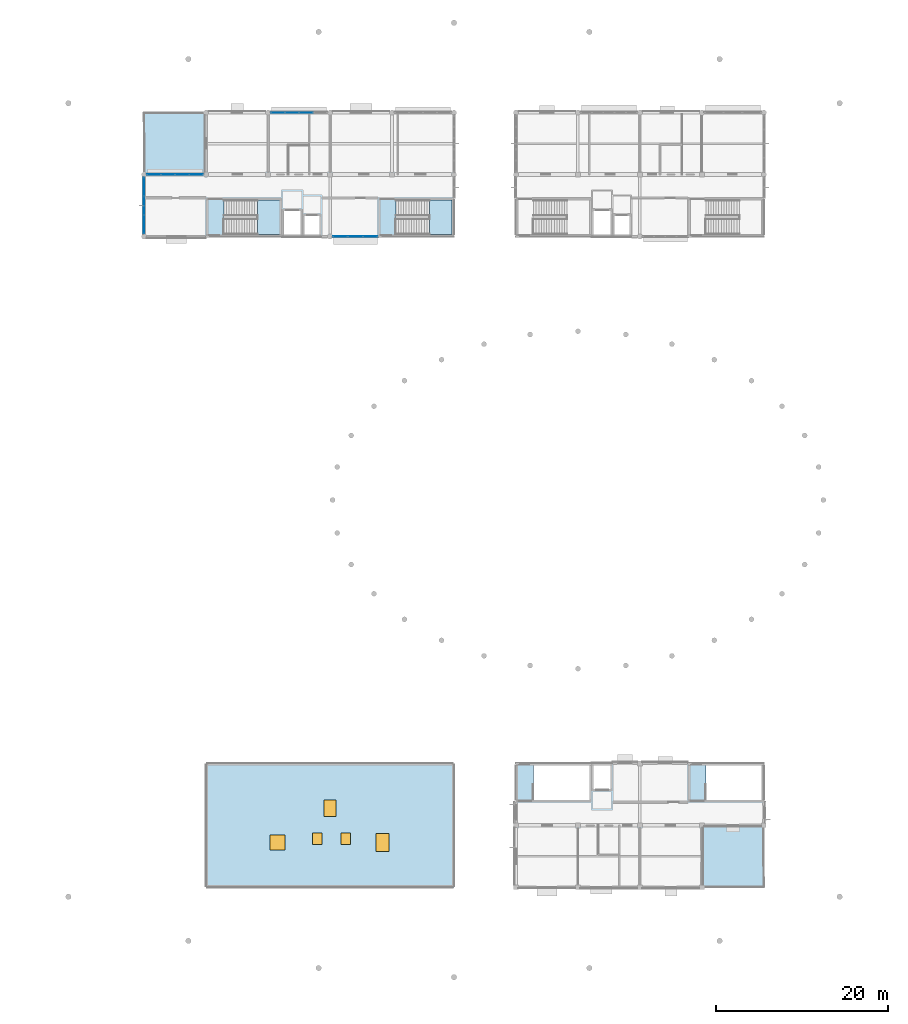
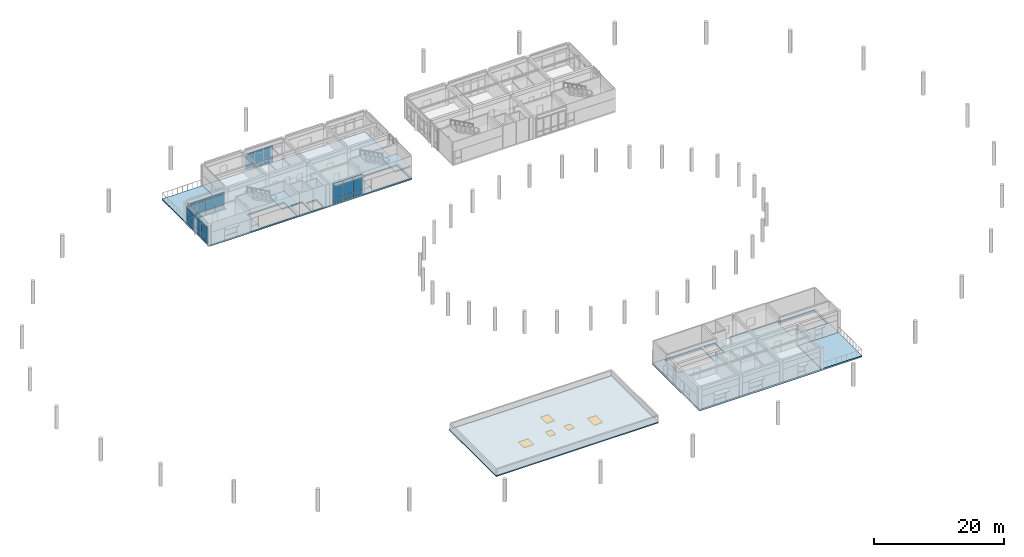
# One storey, part 9 of 29: 39 plates, 7 slabs, 3 windows, 2 doors, 5 openings, 6 elements without a shape of their own.
"""IFC4 building model written with IfcOpenShell, lengths in metres."""

from ifc_helpers import new_model, si_unit, direction, frame, origin, origin_2d, place, context, subcontext, project, spatial, polyline, rectangle, outline, extrude, material, layer, layer_set, type_object, element, fill, aggregate, save


model = new_model("IFC4")

# Units and contexts
model_context = context("Model", 3, precision=1e-05, world=origin(), true_north=direction((0.0, 1.0)))
body_context = subcontext(model_context, "Body", "Model", "MODEL_VIEW")
ifc_project = project(units=[si_unit("LENGTHUNIT", "METRE"), si_unit("AREAUNIT", "SQUARE_METRE"), si_unit("VOLUMEUNIT", "CUBIC_METRE"), si_unit("PLANEANGLEUNIT", "RADIAN"), si_unit("MASSUNIT", "GRAM", prefix="KILO")], contexts=[model_context])

# Site, building, storey
site_placement = place(None, origin())
site = spatial("IfcSite", under=ifc_project, at=site_placement, CompositionType="ELEMENT")
building_placement = place(site_placement, origin())
building = spatial("IfcBuilding", under=site, at=building_placement, Name="Namkhue Oval Health Centre", CompositionType="ELEMENT")
storey_placement = place(building_placement, frame((0.0, 0.0, 18.0)))
storey = spatial("IfcBuildingStorey", under=building, at=storey_placement, Name="L04", CompositionType="ELEMENT", Elevation=18.0)

# Curtain wall, plates
ifc_material_1 = material(Name="Anodised aluminium EN AW-6063 T6", Category="aluminium")
ifc_layer_1 = layer(ifc_material_1, 0.159912109375)
ifc_layer_set_1 = layer_set([ifc_layer_1], Name="Anodised aluminium EN AW-6063 T6")
curtain_wall_type_1 = type_object("IfcCurtainWallType", Name="UNITISED CURTAIN WALL M2000", PredefinedType="NOTDEFINED", material=ifc_layer_set_1)
curtain_wall_1_placement = place(storey_placement, origin())
curtain_wall_1 = element("IfcCurtainWall", 1, at=curtain_wall_1_placement, inside=storey, type_object=curtain_wall_type_1, Name="Volume V2 L04 Unitised Curtain Wall 78", PredefinedType="NOTDEFINED")
ifc_material_2 = material(Name="Thermally broken low-E laminated double glazing", Category="glass")
ifc_layer_2 = layer(ifc_material_2, 0.028076171875)
ifc_layer_set_2 = layer_set([ifc_layer_2], Name="Thermally broken low-E laminated double glazing")
plate_type_1 = type_object("IfcPlateType", Name="CURTAIN WALL GLAZED PANEL 28", PredefinedType="CURTAIN_PANEL", material=ifc_layer_set_2)
plate_1_placement = place(storey_placement, frame((73.20751953125, 90.0, 0.074951171875), z_axis=(0.0, 0.0, 1.0), x_axis=(1.0, 0.0, 0.0)))
plate_1 = element("IfcPlate", 2, at=plate_1_placement, type_object=plate_type_1, Name="CW-06 panel 1.1", PredefinedType="CURTAIN_PANEL", context=body_context, shape_type="SweptSolid", body=[
    extrude(rectangle(XDim=1.645263671875, YDim=0.028076171875, at=origin_2d()), origin(), (0.0, 0.0, 1.0), 0.78759765625),
])
plate_2_placement = place(storey_placement, frame((73.20751953125, 90.0, 0.9375), z_axis=(0.0, 0.0, 1.0), x_axis=(1.0, 0.0, 0.0)))
plate_2 = element("IfcPlate", 3, at=plate_2_placement, type_object=plate_type_1, Name="CW-06 panel 1.2", PredefinedType="CURTAIN_PANEL", context=body_context, shape_type="SweptSolid", body=[
    extrude(rectangle(XDim=1.645263671875, YDim=0.028076171875, at=origin_2d()), origin(), (0.0, 0.0, 1.0), 2.31494140625),
])
plate_3_placement = place(storey_placement, frame((73.20751953125, 90.0, 3.327392578125), z_axis=(0.0, 0.0, 1.0), x_axis=(1.0, 0.0, 0.0)))
plate_3 = element("IfcPlate", 4, at=plate_3_placement, type_object=plate_type_1, Name="CW-06 panel 1.3", PredefinedType="CURTAIN_PANEL", context=body_context, shape_type="SweptSolid", body=[
    extrude(rectangle(XDim=1.645263671875, YDim=0.028076171875, at=origin_2d()), origin(), (0.0, 0.0, 1.0), 0.53759765625),
])
plate_4_placement = place(storey_placement, frame((74.946533203125, 90.0, 0.074951171875), z_axis=(0.0, 0.0, 1.0), x_axis=(1.0, 0.0, 0.0)))
plate_4 = element("IfcPlate", 5, at=plate_4_placement, type_object=plate_type_1, Name="CW-06 panel 2.1", PredefinedType="CURTAIN_PANEL", context=body_context, shape_type="SweptSolid", body=[
    extrude(rectangle(XDim=1.6826171875, YDim=0.028076171875, at=origin_2d()), origin(), (0.0, 0.0, 1.0), 0.78759765625),
])
plate_5_placement = place(storey_placement, frame((74.946533203125, 90.0, 0.9375), z_axis=(0.0, 0.0, 1.0), x_axis=(1.0, 0.0, 0.0)))
plate_5 = element("IfcPlate", 6, at=plate_5_placement, type_object=plate_type_1, Name="CW-06 panel 2.2", PredefinedType="CURTAIN_PANEL", context=body_context, shape_type="SweptSolid", body=[
    extrude(rectangle(XDim=1.6826171875, YDim=0.028076171875, at=origin_2d()), origin(), (0.0, 0.0, 1.0), 2.31494140625),
])
plate_6_placement = place(storey_placement, frame((74.946533203125, 90.0, 3.327392578125), z_axis=(0.0, 0.0, 1.0), x_axis=(1.0, 0.0, 0.0)))
plate_6 = element("IfcPlate", 7, at=plate_6_placement, type_object=plate_type_1, Name="CW-06 panel 2.3", PredefinedType="CURTAIN_PANEL", context=body_context, shape_type="SweptSolid", body=[
    extrude(rectangle(XDim=1.6826171875, YDim=0.028076171875, at=origin_2d()), origin(), (0.0, 0.0, 1.0), 0.53759765625),
])
plate_7_placement = place(storey_placement, frame((76.685302734375, 90.0, 0.074951171875), z_axis=(0.0, 0.0, 1.0), x_axis=(1.0, 0.0, 0.0)))
plate_7 = element("IfcPlate", 8, at=plate_7_placement, type_object=plate_type_1, Name="CW-06 panel 3.1", PredefinedType="CURTAIN_PANEL", context=body_context, shape_type="SweptSolid", body=[
    extrude(rectangle(XDim=1.645263671875, YDim=0.028076171875, at=origin_2d()), origin(), (0.0, 0.0, 1.0), 0.78759765625),
])
plate_8_placement = place(storey_placement, frame((76.685302734375, 90.0, 0.9375), z_axis=(0.0, 0.0, 1.0), x_axis=(1.0, 0.0, 0.0)))
plate_8 = element("IfcPlate", 9, at=plate_8_placement, type_object=plate_type_1, Name="CW-06 panel 3.2", PredefinedType="CURTAIN_PANEL", context=body_context, shape_type="SweptSolid", body=[
    extrude(rectangle(XDim=1.645263671875, YDim=0.028076171875, at=origin_2d()), origin(), (0.0, 0.0, 1.0), 2.31494140625),
])
plate_9_placement = place(storey_placement, frame((76.685302734375, 90.0, 3.327392578125), z_axis=(0.0, 0.0, 1.0), x_axis=(1.0, 0.0, 0.0)))
plate_9 = element("IfcPlate", 10, at=plate_9_placement, type_object=plate_type_1, Name="CW-06 panel 3.3", PredefinedType="CURTAIN_PANEL", context=body_context, shape_type="SweptSolid", body=[
    extrude(rectangle(XDim=1.645263671875, YDim=0.028076171875, at=origin_2d()), origin(), (0.0, 0.0, 1.0), 0.53759765625),
])
aggregate(curtain_wall_1, [plate_1, plate_2, plate_3, plate_4, plate_5, plate_6, plate_7, plate_8, plate_9])

ifc_layer_3 = layer(ifc_material_1, 0.159912109375)
ifc_layer_set_3 = layer_set([ifc_layer_3], Name="Anodised aluminium EN AW-6063 T6")
curtain_wall_type_2 = type_object("IfcCurtainWallType", Name="UNITISED CURTAIN WALL M1600", PredefinedType="NOTDEFINED", material=ifc_layer_set_3)
curtain_wall_2_placement = place(storey_placement, origin())
curtain_wall_2 = element("IfcCurtainWall", 11, at=curtain_wall_2_placement, inside=storey, type_object=curtain_wall_type_2, Name="Volume V2 L04 Unitised Curtain Wall 82", PredefinedType="NOTDEFINED")
plate_10_placement = place(storey_placement, frame((69.222412109375, 104.39990234375, 0.074951171875), z_axis=(0.0, 0.0, 1.0), x_axis=(-1.0, 0.0, 0.0)))
plate_10 = element("IfcPlate", 12, at=plate_10_placement, type_object=plate_type_1, Name="CW-04 panel 2.1", PredefinedType="CURTAIN_PANEL", context=body_context, shape_type="SweptSolid", body=[
    extrude(rectangle(XDim=1.570068359375, YDim=0.028076171875, at=origin_2d()), origin(), (0.0, 0.0, 1.0), 0.78759765625),
])
plate_11_placement = place(storey_placement, frame((69.222412109375, 104.39990234375, 0.9375), z_axis=(0.0, 0.0, 1.0), x_axis=(-1.0, 0.0, 0.0)))
plate_11 = element("IfcPlate", 13, at=plate_11_placement, type_object=plate_type_1, Name="CW-04 panel 2.2", PredefinedType="CURTAIN_PANEL", context=body_context, shape_type="SweptSolid", body=[
    extrude(rectangle(XDim=1.570068359375, YDim=0.028076171875, at=origin_2d()), origin(), (0.0, 0.0, 1.0), 1.6650390625),
])
plate_12_placement = place(storey_placement, frame((69.222412109375, 104.39990234375, 2.677490234375), z_axis=(0.0, 0.0, 1.0), x_axis=(-1.0, 0.0, 0.0)))
plate_12 = element("IfcPlate", 14, at=plate_12_placement, type_object=plate_type_1, Name="CW-04 panel 2.3", PredefinedType="CURTAIN_PANEL", context=body_context, shape_type="SweptSolid", body=[
    extrude(rectangle(XDim=1.570068359375, YDim=0.028076171875, at=origin_2d()), origin(), (0.0, 0.0, 1.0), 0.53759765625),
])
plate_13_placement = place(storey_placement, frame((67.577392578125, 104.39990234375, 0.074951171875), z_axis=(0.0, 0.0, 1.0), x_axis=(-1.0, 0.0, 0.0)))
plate_13 = element("IfcPlate", 15, at=plate_13_placement, type_object=plate_type_1, Name="CW-04 panel 3.1", PredefinedType="CURTAIN_PANEL", context=body_context, shape_type="SweptSolid", body=[
    extrude(rectangle(XDim=1.570068359375, YDim=0.028076171875, at=origin_2d()), origin(), (0.0, 0.0, 1.0), 0.78759765625),
])
plate_14_placement = place(storey_placement, frame((67.577392578125, 104.39990234375, 0.9375), z_axis=(0.0, 0.0, 1.0), x_axis=(-1.0, 0.0, 0.0)))
plate_14 = element("IfcPlate", 16, at=plate_14_placement, type_object=plate_type_1, Name="CW-04 panel 3.2", PredefinedType="CURTAIN_PANEL", context=body_context, shape_type="SweptSolid", body=[
    extrude(rectangle(XDim=1.570068359375, YDim=0.028076171875, at=origin_2d()), origin(), (0.0, 0.0, 1.0), 1.6650390625),
])
plate_15_placement = place(storey_placement, frame((67.577392578125, 104.39990234375, 2.677490234375), z_axis=(0.0, 0.0, 1.0), x_axis=(-1.0, 0.0, 0.0)))
plate_15 = element("IfcPlate", 17, at=plate_15_placement, type_object=plate_type_1, Name="CW-04 panel 3.3", PredefinedType="CURTAIN_PANEL", context=body_context, shape_type="SweptSolid", body=[
    extrude(rectangle(XDim=1.570068359375, YDim=0.028076171875, at=origin_2d()), origin(), (0.0, 0.0, 1.0), 0.53759765625),
])
plate_16_placement = place(storey_placement, frame((65.951171875, 104.39990234375, 0.074951171875), z_axis=(0.0, 0.0, 1.0), x_axis=(-1.0, 0.0, 0.0)))
plate_16 = element("IfcPlate", 18, at=plate_16_placement, type_object=plate_type_1, Name="CW-04 panel 4.1", PredefinedType="CURTAIN_PANEL", context=body_context, shape_type="SweptSolid", body=[
    extrude(rectangle(XDim=1.532470703125, YDim=0.028076171875, at=origin_2d()), origin(), (0.0, 0.0, 1.0), 0.78759765625),
])
plate_17_placement = place(storey_placement, frame((65.951171875, 104.39990234375, 0.9375), z_axis=(0.0, 0.0, 1.0), x_axis=(-1.0, 0.0, 0.0)))
plate_17 = element("IfcPlate", 19, at=plate_17_placement, type_object=plate_type_1, Name="CW-04 panel 4.2", PredefinedType="CURTAIN_PANEL", context=body_context, shape_type="SweptSolid", body=[
    extrude(rectangle(XDim=1.532470703125, YDim=0.028076171875, at=origin_2d()), origin(), (0.0, 0.0, 1.0), 1.6650390625),
])
plate_18_placement = place(storey_placement, frame((65.951171875, 104.39990234375, 2.677490234375), z_axis=(0.0, 0.0, 1.0), x_axis=(-1.0, 0.0, 0.0)))
plate_18 = element("IfcPlate", 20, at=plate_18_placement, type_object=plate_type_1, Name="CW-04 panel 4.3", PredefinedType="CURTAIN_PANEL", context=body_context, shape_type="SweptSolid", body=[
    extrude(rectangle(XDim=1.532470703125, YDim=0.028076171875, at=origin_2d()), origin(), (0.0, 0.0, 1.0), 0.53759765625),
])
aggregate(curtain_wall_2, [plate_10, plate_11, plate_12, plate_13, plate_14, plate_15, plate_16, plate_17, plate_18])

ifc_layer_4 = layer(ifc_material_1, 0.159912109375)
ifc_layer_set_4 = layer_set([ifc_layer_4], Name="Anodised aluminium EN AW-6063 T6")
curtain_wall_type_3 = type_object("IfcCurtainWallType", Name="UNITISED CURTAIN WALL M1800", PredefinedType="NOTDEFINED", material=ifc_layer_set_4)
curtain_wall_3_placement = place(storey_placement, origin())
curtain_wall_3 = element("IfcCurtainWall", 21, at=curtain_wall_3_placement, inside=storey, type_object=curtain_wall_type_3, Name="Volume V2 L04 Unitised Curtain Wall 83", PredefinedType="NOTDEFINED")
ifc_material_3 = material(Name="Insulated anodised aluminium spandrel panel", Category="aluminium")
ifc_layer_5 = layer(ifc_material_3, 0.031982421875)
ifc_layer_set_5 = layer_set([ifc_layer_5], Name="Insulated anodised aluminium spandrel panel")
plate_type_2 = type_object("IfcPlateType", Name="CURTAIN WALL SPANDREL PANEL 32", PredefinedType="CURTAIN_PANEL", material=ifc_layer_set_5)
plate_19_placement = place(storey_placement, frame((56.451171875, 97.199951171875, 0.06494140625), z_axis=(0.0, 0.0, 1.0), x_axis=(-1.0, 0.0, 0.0)))
plate_19 = element("IfcPlate", 22, at=plate_19_placement, type_object=plate_type_2, Name="CW-05 panel 1.1", PredefinedType="CURTAIN_PANEL", context=body_context, shape_type="SweptSolid", body=[
    extrude(rectangle(XDim=1.547607421875, YDim=0.031982421875, at=origin_2d()), origin(), (0.0, 0.0, 1.0), 0.802490234375),
])
plate_20_placement = place(storey_placement, frame((56.451171875, 97.199951171875, 0.9326171875), z_axis=(0.0, 0.0, 1.0), x_axis=(-1.0, 0.0, 0.0)))
plate_20 = element("IfcPlate", 23, at=plate_20_placement, type_object=plate_type_2, Name="CW-05 panel 1.2", PredefinedType="CURTAIN_PANEL", context=body_context, shape_type="SweptSolid", body=[
    extrude(rectangle(XDim=1.547607421875, YDim=0.031982421875, at=origin_2d()), origin(), (0.0, 0.0, 1.0), 1.702880859375),
])
plate_21_placement = place(storey_placement, frame((56.451171875, 97.199951171875, 2.70068359375), z_axis=(0.0, 0.0, 1.0), x_axis=(-1.0, 0.0, 0.0)))
plate_21 = element("IfcPlate", 24, at=plate_21_placement, type_object=plate_type_2, Name="CW-05 panel 1.3", PredefinedType="CURTAIN_PANEL", context=body_context, shape_type="SweptSolid", body=[
    extrude(rectangle(XDim=1.547607421875, YDim=0.031982421875, at=origin_2d()), origin(), (0.0, 0.0, 1.0), 0.552490234375),
])
plate_22_placement = place(storey_placement, frame((54.822509765625, 97.199951171875, 0.06494140625), z_axis=(0.0, 0.0, 1.0), x_axis=(-1.0, 0.0, 0.0)))
plate_22 = element("IfcPlate", 25, at=plate_22_placement, type_object=plate_type_2, Name="CW-05 panel 2.1", PredefinedType="CURTAIN_PANEL", context=body_context, shape_type="SweptSolid", body=[
    extrude(rectangle(XDim=1.580078125, YDim=0.031982421875, at=origin_2d()), origin(), (0.0, 0.0, 1.0), 0.802490234375),
])
plate_23_placement = place(storey_placement, frame((54.822509765625, 97.199951171875, 0.9326171875), z_axis=(0.0, 0.0, 1.0), x_axis=(-1.0, 0.0, 0.0)))
plate_23 = element("IfcPlate", 26, at=plate_23_placement, type_object=plate_type_2, Name="CW-05 panel 2.2", PredefinedType="CURTAIN_PANEL", context=body_context, shape_type="SweptSolid", body=[
    extrude(rectangle(XDim=1.580078125, YDim=0.031982421875, at=origin_2d()), origin(), (0.0, 0.0, 1.0), 1.702880859375),
])
plate_24_placement = place(storey_placement, frame((54.822509765625, 97.199951171875, 2.70068359375), z_axis=(0.0, 0.0, 1.0), x_axis=(-1.0, 0.0, 0.0)))
plate_24 = element("IfcPlate", 27, at=plate_24_placement, type_object=plate_type_2, Name="CW-05 panel 2.3", PredefinedType="CURTAIN_PANEL", context=body_context, shape_type="SweptSolid", body=[
    extrude(rectangle(XDim=1.580078125, YDim=0.031982421875, at=origin_2d()), origin(), (0.0, 0.0, 1.0), 0.552490234375),
])
plate_25_placement = place(storey_placement, frame((53.177490234375, 97.199951171875, 0.06494140625), z_axis=(0.0, 0.0, 1.0), x_axis=(-1.0, 0.0, 0.0)))
plate_25 = element("IfcPlate", 28, at=plate_25_placement, type_object=plate_type_2, Name="CW-05 panel 3.1", PredefinedType="CURTAIN_PANEL", context=body_context, shape_type="SweptSolid", body=[
    extrude(rectangle(XDim=1.580078125, YDim=0.031982421875, at=origin_2d()), origin(), (0.0, 0.0, 1.0), 0.802490234375),
])
plate_26_placement = place(storey_placement, frame((53.177490234375, 97.199951171875, 0.9326171875), z_axis=(0.0, 0.0, 1.0), x_axis=(-1.0, 0.0, 0.0)))
plate_26 = element("IfcPlate", 29, at=plate_26_placement, type_object=plate_type_2, Name="CW-05 panel 3.2", PredefinedType="CURTAIN_PANEL", context=body_context, shape_type="SweptSolid", body=[
    extrude(rectangle(XDim=1.580078125, YDim=0.031982421875, at=origin_2d()), origin(), (0.0, 0.0, 1.0), 1.702880859375),
])
plate_27_placement = place(storey_placement, frame((53.177490234375, 97.199951171875, 2.70068359375), z_axis=(0.0, 0.0, 1.0), x_axis=(-1.0, 0.0, 0.0)))
plate_27 = element("IfcPlate", 30, at=plate_27_placement, type_object=plate_type_2, Name="CW-05 panel 3.3", PredefinedType="CURTAIN_PANEL", context=body_context, shape_type="SweptSolid", body=[
    extrude(rectangle(XDim=1.580078125, YDim=0.031982421875, at=origin_2d()), origin(), (0.0, 0.0, 1.0), 0.552490234375),
])
plate_28_placement = place(storey_placement, frame((51.548828125, 97.199951171875, 0.06494140625), z_axis=(0.0, 0.0, 1.0), x_axis=(-1.0, 0.0, 0.0)))
plate_28 = element("IfcPlate", 31, at=plate_28_placement, type_object=plate_type_2, Name="CW-05 panel 4.1", PredefinedType="CURTAIN_PANEL", context=body_context, shape_type="SweptSolid", body=[
    extrude(rectangle(XDim=1.547607421875, YDim=0.031982421875, at=origin_2d()), origin(), (0.0, 0.0, 1.0), 0.802490234375),
])
plate_29_placement = place(storey_placement, frame((51.548828125, 97.199951171875, 0.9326171875), z_axis=(0.0, 0.0, 1.0), x_axis=(-1.0, 0.0, 0.0)))
plate_29 = element("IfcPlate", 32, at=plate_29_placement, type_object=plate_type_2, Name="CW-05 panel 4.2", PredefinedType="CURTAIN_PANEL", context=body_context, shape_type="SweptSolid", body=[
    extrude(rectangle(XDim=1.547607421875, YDim=0.031982421875, at=origin_2d()), origin(), (0.0, 0.0, 1.0), 1.702880859375),
])
plate_30_placement = place(storey_placement, frame((51.548828125, 97.199951171875, 2.70068359375), z_axis=(0.0, 0.0, 1.0), x_axis=(-1.0, 0.0, 0.0)))
plate_30 = element("IfcPlate", 33, at=plate_30_placement, type_object=plate_type_2, Name="CW-05 panel 4.3", PredefinedType="CURTAIN_PANEL", context=body_context, shape_type="SweptSolid", body=[
    extrude(rectangle(XDim=1.547607421875, YDim=0.031982421875, at=origin_2d()), origin(), (0.0, 0.0, 1.0), 0.552490234375),
])
aggregate(curtain_wall_3, [plate_19, plate_20, plate_21, plate_22, plate_23, plate_24, plate_25, plate_26, plate_27, plate_28, plate_29, plate_30])

curtain_wall_4_placement = place(storey_placement, origin())
curtain_wall_4 = element("IfcCurtainWall", 34, at=curtain_wall_4_placement, inside=storey, type_object=curtain_wall_type_1, Name="Volume V2 L04 Unitised Curtain Wall 84", PredefinedType="NOTDEFINED")
ifc_layer_6 = layer(ifc_material_3, 0.035888671875)
ifc_layer_set_6 = layer_set([ifc_layer_6], Name="Insulated anodised aluminium spandrel panel")
plate_type_3 = type_object("IfcPlateType", Name="CURTAIN WALL SPANDREL PANEL 36", PredefinedType="CURTAIN_PANEL", material=ifc_layer_set_6)
plate_31_placement = place(storey_placement, frame((50.39990234375, 95.774658203125, 0.074951171875), z_axis=(0.0, 0.0, 1.0), x_axis=(0.0, -1.0, 0.0)))
plate_31 = element("IfcPlate", 35, at=plate_31_placement, type_object=plate_type_3, Name="CW-06 panel 1.1", PredefinedType="CURTAIN_PANEL", context=body_context, shape_type="SweptSolid", body=[
    extrude(rectangle(XDim=2.080810546875, YDim=0.035888671875, at=origin_2d()), origin(), (0.0, 0.0, 1.0), 0.78759765625),
])
plate_32_placement = place(storey_placement, frame((50.39990234375, 95.774658203125, 0.9375), z_axis=(0.0, 0.0, 1.0), x_axis=(0.0, -1.0, 0.0)))
plate_32 = element("IfcPlate", 36, at=plate_32_placement, type_object=plate_type_3, Name="CW-06 panel 1.2", PredefinedType="CURTAIN_PANEL", context=body_context, shape_type="SweptSolid", body=[
    extrude(rectangle(XDim=2.080810546875, YDim=0.035888671875, at=origin_2d()), origin(), (0.0, 0.0, 1.0), 1.693115234375),
])
plate_33_placement = place(storey_placement, frame((50.39990234375, 95.774658203125, 2.70556640625), z_axis=(0.0, 0.0, 1.0), x_axis=(0.0, -1.0, 0.0)))
plate_33 = element("IfcPlate", 37, at=plate_33_placement, type_object=plate_type_3, Name="CW-06 panel 1.3", PredefinedType="CURTAIN_PANEL", context=body_context, shape_type="SweptSolid", body=[
    extrude(rectangle(XDim=2.080810546875, YDim=0.035888671875, at=origin_2d()), origin(), (0.0, 0.0, 1.0), 0.53759765625),
])
plate_34_placement = place(storey_placement, frame((50.39990234375, 93.60009765625, 0.074951171875), z_axis=(0.0, 0.0, 1.0), x_axis=(0.0, -1.0, 0.0)))
plate_34 = element("IfcPlate", 38, at=plate_34_placement, type_object=plate_type_3, Name="CW-06 panel 2.1", PredefinedType="CURTAIN_PANEL", context=body_context, shape_type="SweptSolid", body=[
    extrude(rectangle(XDim=2.118408203125, YDim=0.035888671875, at=origin_2d()), origin(), (0.0, 0.0, 1.0), 0.78759765625),
])
plate_35_placement = place(storey_placement, frame((50.39990234375, 93.60009765625, 0.9375), z_axis=(0.0, 0.0, 1.0), x_axis=(0.0, -1.0, 0.0)))
plate_35 = element("IfcPlate", 39, at=plate_35_placement, type_object=plate_type_3, Name="CW-06 panel 2.2", PredefinedType="CURTAIN_PANEL", context=body_context, shape_type="SweptSolid", body=[
    extrude(rectangle(XDim=2.118408203125, YDim=0.035888671875, at=origin_2d()), origin(), (0.0, 0.0, 1.0), 1.693115234375),
])
plate_36_placement = place(storey_placement, frame((50.39990234375, 93.60009765625, 2.70556640625), z_axis=(0.0, 0.0, 1.0), x_axis=(0.0, -1.0, 0.0)))
plate_36 = element("IfcPlate", 40, at=plate_36_placement, type_object=plate_type_3, Name="CW-06 panel 2.3", PredefinedType="CURTAIN_PANEL", context=body_context, shape_type="SweptSolid", body=[
    extrude(rectangle(XDim=2.118408203125, YDim=0.035888671875, at=origin_2d()), origin(), (0.0, 0.0, 1.0), 0.53759765625),
])
plate_37_placement = place(storey_placement, frame((50.39990234375, 91.425537109375, 0.074951171875), z_axis=(0.0, 0.0, 1.0), x_axis=(0.0, -1.0, 0.0)))
plate_37 = element("IfcPlate", 41, at=plate_37_placement, type_object=plate_type_3, Name="CW-06 panel 3.1", PredefinedType="CURTAIN_PANEL", context=body_context, shape_type="SweptSolid", body=[
    extrude(rectangle(XDim=2.080810546875, YDim=0.035888671875, at=origin_2d()), origin(), (0.0, 0.0, 1.0), 0.78759765625),
])
plate_38_placement = place(storey_placement, frame((50.39990234375, 91.425537109375, 0.9375), z_axis=(0.0, 0.0, 1.0), x_axis=(0.0, -1.0, 0.0)))
plate_38 = element("IfcPlate", 42, at=plate_38_placement, type_object=plate_type_3, Name="CW-06 panel 3.2", PredefinedType="CURTAIN_PANEL", context=body_context, shape_type="SweptSolid", body=[
    extrude(rectangle(XDim=2.080810546875, YDim=0.035888671875, at=origin_2d()), origin(), (0.0, 0.0, 1.0), 1.693115234375),
])
plate_39_placement = place(storey_placement, frame((50.39990234375, 91.425537109375, 2.70556640625), z_axis=(0.0, 0.0, 1.0), x_axis=(0.0, -1.0, 0.0)))
plate_39 = element("IfcPlate", 43, at=plate_39_placement, type_object=plate_type_3, Name="CW-06 panel 3.3", PredefinedType="CURTAIN_PANEL", context=body_context, shape_type="SweptSolid", body=[
    extrude(rectangle(XDim=2.080810546875, YDim=0.035888671875, at=origin_2d()), origin(), (0.0, 0.0, 1.0), 0.53759765625),
])
aggregate(curtain_wall_4, [plate_31, plate_32, plate_33, plate_34, plate_35, plate_36, plate_37, plate_38, plate_39])

# Slabs
ifc_material_4 = material(Name="Reinforced concrete C30/37 (TCVN B35)", Category="concrete")
ifc_layer_7 = layer(ifc_material_4, 0.22802734375)
ifc_layer_set_7 = layer_set([ifc_layer_7], Name="Reinforced concrete C30/37 (TCVN B35)")
slab_type_1 = type_object("IfcSlabType", Name="EXTERIOR TERRACE SLAB 228", PredefinedType="FLOOR", material=ifc_layer_set_7)
slab_1_placement = place(storey_placement, frame((0.0, 0.0, -0.22802734375)))
element("IfcSlab", 44, at=slab_1_placement, inside=storey, type_object=slab_type_1, Name="Volume V2 L04 Exterior Roof Terrace Slab", PredefinedType="FLOOR", context=body_context, shape_type="SweptSolid", body=[
    extrude(outline(polyline([(50.39990234375, 97.199951171875), (57.60009765625, 97.199951171875), (57.60009765625, 104.39990234375), (50.39990234375, 104.39990234375), (50.39990234375, 97.199951171875)])), origin(), (0.0, 0.0, 1.0), 0.22802734375),
])
ifc_layer_8 = layer(ifc_material_4, 0.27197265625)
ifc_layer_set_8 = layer_set([ifc_layer_8], Name="Reinforced concrete C30/37 (TCVN B35)")
slab_type_2 = type_object("IfcSlabType", Name="EXTERIOR TERRACE SLAB 272", PredefinedType="FLOOR", material=ifc_layer_set_8)
slab_2_placement = place(storey_placement, frame((0.0, 0.0, -0.27197265625)))
element("IfcSlab", 45, at=slab_2_placement, inside=storey, type_object=slab_type_2, Name="Volume V5 L04 Exterior Roof Terrace Slab", PredefinedType="FLOOR", context=body_context, shape_type="SweptSolid", body=[
    extrude(outline(polyline([(115.199951171875, 14.39990234375), (122.39990234375, 14.39990234375), (122.39990234375, 21.60009765625), (115.199951171875, 21.60009765625), (115.199951171875, 14.39990234375)])), origin(), (0.0, 0.0, 1.0), 0.27197265625),
])

# Slab, openings, doors, windows
ifc_layer_9 = layer(ifc_material_4, 0.215087890625)
ifc_layer_set_9 = layer_set([ifc_layer_9], Name="Reinforced concrete C30/37 (TCVN B35)")
slab_type_3 = type_object("IfcSlabType", Name="FLAT ROOF SLAB 215", PredefinedType="ROOF", material=ifc_layer_set_9)
slab_3_placement = place(storey_placement, origin())
slab_3 = element("IfcSlab", 46, at=slab_3_placement, inside=storey, type_object=slab_type_3, Name="Volume V4 L04 Main Roof Slab", PredefinedType="ROOF", context=body_context, shape_type="SweptSolid", body=[
    extrude(outline(polyline([(57.60009765625, 14.39990234375), (86.39990234375, 14.39990234375), (86.39990234375, 28.800048828125), (57.60009765625, 28.800048828125), (57.60009765625, 14.39990234375)])), origin(), (0.0, 0.0, 1.0), 0.215087890625),
])
opening_1_placement = place(slab_3_placement, frame((70.5, 20.050048828125, 0.0)))
opening_1 = element("IfcOpeningElement", 47, at=opening_1_placement, cuts=slab_3, Name="Opening HT-02", PredefinedType="OPENING", context=body_context, shape_type="SweptSolid", body=[
    extrude(rectangle(XDim=1.10009765625, YDim=1.300048828125, at=origin_2d()), frame((0.0, 0.0, -0.010009765625)), (0.0, 0.0, 1.0), 0.235107421875),
])
opening_2_placement = place(slab_3_placement, frame((73.800048828125, 20.050048828125, 0.0)))
opening_2 = element("IfcOpeningElement", 48, at=opening_2_placement, cuts=slab_3, Name="Opening HT-02", PredefinedType="OPENING", context=body_context, shape_type="SweptSolid", body=[
    extrude(rectangle(XDim=1.10009765625, YDim=1.300048828125, at=origin_2d()), frame((0.0, 0.0, -0.010009765625)), (0.0, 0.0, 1.0), 0.235107421875),
])
opening_3_placement = place(slab_3_placement, frame((65.89990234375, 19.60009765625, 0.0)))
opening_3 = element("IfcOpeningElement", 49, at=opening_3_placement, cuts=slab_3, Name="Opening SK-05", PredefinedType="OPENING", context=body_context, shape_type="SweptSolid", body=[
    extrude(rectangle(XDim=1.75, YDim=1.75, at=origin_2d()), frame((0.0, 0.0, -0.010009765625)), (0.0, 0.0, 1.0), 0.235107421875),
])
opening_4_placement = place(slab_3_placement, frame((72.0, 23.60009765625, 0.0)))
opening_4 = element("IfcOpeningElement", 50, at=opening_4_placement, cuts=slab_3, Name="Opening SK-06", PredefinedType="OPENING", context=body_context, shape_type="SweptSolid", body=[
    extrude(rectangle(XDim=1.39990234375, YDim=1.89990234375, at=origin_2d()), frame((0.0, 0.0, -0.010009765625)), (0.0, 0.0, 1.0), 0.235107421875),
])
opening_5_placement = place(slab_3_placement, frame((78.10009765625, 19.60009765625, 0.0)))
opening_5 = element("IfcOpeningElement", 51, at=opening_5_placement, cuts=slab_3, Name="Opening SK-07", PredefinedType="OPENING", context=body_context, shape_type="SweptSolid", body=[
    extrude(rectangle(XDim=1.550048828125, YDim=2.10009765625, at=origin_2d()), frame((0.0, 0.0, -0.010009765625)), (0.0, 0.0, 1.0), 0.235107421875),
])
ifc_material_5 = material(Name="Insulated aluminium roof access hatch", Category="aluminium")
door_type = type_object("IfcDoorType", Name="ROOF ACCESS TRAPDOOR 1100X1300", OperationType="SINGLE_SWING_LEFT", PredefinedType="TRAPDOOR", material=ifc_material_5)
door_1_placement = place(opening_1_placement, frame((0.0, 0.0, 0.1650390625)))
door_1 = element("IfcDoor", 52, at=door_1_placement, inside=storey, type_object=door_type, Name="Volume V4 Roof Maintenance Hatch 1", OperationType="SINGLE_SWING_LEFT", OverallHeight=1.300048828125, OverallWidth=1.10009765625, PredefinedType="TRAPDOOR", context=body_context, shape_type="SweptSolid", body=[
    extrude(rectangle(XDim=1.10009765625, YDim=1.300048828125, at=origin_2d()), origin(), (0.0, 0.0, 1.0), 0.050048828125),
])
fill(opening_1, door_1)
door_2_placement = place(opening_2_placement, frame((0.0, 0.0, 0.1650390625)))
door_2 = element("IfcDoor", 53, at=door_2_placement, inside=storey, type_object=door_type, Name="Volume V4 Roof Maintenance Hatch 2", OperationType="SINGLE_SWING_LEFT", OverallHeight=1.300048828125, OverallWidth=1.10009765625, PredefinedType="TRAPDOOR", context=body_context, shape_type="SweptSolid", body=[
    extrude(rectangle(XDim=1.10009765625, YDim=1.300048828125, at=origin_2d()), origin(), (0.0, 0.0, 1.0), 0.050048828125),
])
fill(opening_2, door_2)
ifc_material_6 = material(Name="Laminated solar-control double-glazed skylight", Category="glass")
window_type_1 = type_object("IfcWindowType", Name="ROOF SKYLIGHT 1400X1900", PartitioningType="SINGLE_PANEL", PredefinedType="SKYLIGHT", material=ifc_material_6)
window_1_placement = place(opening_4_placement, frame((0.0, 0.0, 0.1650390625)))
window_1 = element("IfcWindow", 54, at=window_1_placement, inside=storey, type_object=window_type_1, Name="Volume V4 L04 Roof Skylight 2", OverallHeight=1.89990234375, OverallWidth=1.39990234375, PartitioningType="SINGLE_PANEL", PredefinedType="SKYLIGHT", context=body_context, shape_type="SweptSolid", body=[
    extrude(rectangle(XDim=1.39990234375, YDim=1.89990234375, at=origin_2d()), origin(), (0.0, 0.0, 1.0), 0.050048828125),
])
fill(opening_4, window_1)
window_type_2 = type_object("IfcWindowType", Name="ROOF SKYLIGHT 1550X2100", PartitioningType="SINGLE_PANEL", PredefinedType="SKYLIGHT", material=ifc_material_6)
window_2_placement = place(opening_5_placement, frame((0.0, 0.0, 0.1650390625)))
window_2 = element("IfcWindow", 55, at=window_2_placement, inside=storey, type_object=window_type_2, Name="Volume V4 L04 Roof Skylight 3", OverallHeight=2.10009765625, OverallWidth=1.550048828125, PartitioningType="SINGLE_PANEL", PredefinedType="SKYLIGHT", context=body_context, shape_type="SweptSolid", body=[
    extrude(rectangle(XDim=1.550048828125, YDim=2.10009765625, at=origin_2d()), origin(), (0.0, 0.0, 1.0), 0.050048828125),
])
fill(opening_5, window_2)
window_type_3 = type_object("IfcWindowType", Name="ROOF SKYLIGHT 1750X1750", PartitioningType="SINGLE_PANEL", PredefinedType="SKYLIGHT", material=ifc_material_6)
window_3_placement = place(opening_3_placement, frame((0.0, 0.0, 0.1650390625)))
window_3 = element("IfcWindow", 56, at=window_3_placement, inside=storey, type_object=window_type_3, Name="Volume V4 L04 Roof Skylight 1", OverallHeight=1.75, OverallWidth=1.75, PartitioningType="SINGLE_PANEL", PredefinedType="SKYLIGHT", context=body_context, shape_type="SweptSolid", body=[
    extrude(rectangle(XDim=1.75, YDim=1.75, at=origin_2d()), origin(), (0.0, 0.0, 1.0), 0.050048828125),
])
fill(opening_3, window_3)

# Stair, slab
stair_type = type_object("IfcStairType", Name="DOGLEG EXIT STAIR H4200", PredefinedType="HALF_TURN_STAIR", material=ifc_material_4)
stair_1_placement = place(storey_placement, origin())
stair_1 = element("IfcStair", 57, at=stair_1_placement, inside=storey, type_object=stair_type, Name="Protected Exit Stair ST-03 L04", PredefinedType="HALF_TURN_STAIR")
ifc_layer_10 = layer(ifc_material_4, 0.195068359375)
ifc_layer_set_10 = layer_set([ifc_layer_10], Name="Reinforced concrete C30/37 (TCVN B35)")
slab_type_4 = type_object("IfcSlabType", Name="STAIR LANDING SLAB 195", PredefinedType="LANDING", material=ifc_layer_set_10)
slab_4_placement = place(storey_placement, frame((0.0, 0.0, 1.905029296875)))
slab_4 = element("IfcSlab", 58, at=slab_4_placement, type_object=slab_type_4, Name="ST-03 landing 1", PredefinedType="LANDING", context=body_context, shape_type="SweptSolid", body=[
    extrude(outline(polyline([(63.544921875, 90.22509765625), (66.175048828125, 90.22509765625), (66.175048828125, 94.27490234375), (63.544921875, 94.27490234375), (63.544921875, 90.22509765625)])), origin(), (0.0, 0.0, 1.0), 0.195068359375),
])
aggregate(stair_1, [slab_4])

stair_2_placement = place(storey_placement, origin())
stair_2 = element("IfcStair", 59, at=stair_2_placement, inside=storey, type_object=stair_type, Name="Protected Exit Stair ST-04 L04", PredefinedType="HALF_TURN_STAIR")
slab_5_placement = place(storey_placement, frame((0.0, 0.0, 1.905029296875)))
slab_5 = element("IfcSlab", 60, at=slab_5_placement, type_object=slab_type_4, Name="ST-04 landing 1", PredefinedType="LANDING", context=body_context, shape_type="SweptSolid", body=[
    extrude(outline(polyline([(83.544921875, 90.22509765625), (86.175048828125, 90.22509765625), (86.175048828125, 94.27490234375), (83.544921875, 94.27490234375), (83.544921875, 90.22509765625)])), origin(), (0.0, 0.0, 1.0), 0.195068359375),
])
aggregate(stair_2, [slab_5])

# Slabs
ifc_layer_11 = layer(ifc_material_4, 0.2548828125)
ifc_layer_set_11 = layer_set([ifc_layer_11], Name="Reinforced concrete C30/37 (TCVN B35)")
slab_type_5 = type_object("IfcSlabType", Name="SUSPENDED FLOOR SLAB 255", PredefinedType="FLOOR", material=ifc_layer_set_11)
slab_6_placement = place(storey_placement, frame((0.0, 0.0, -0.2548828125)))
element("IfcSlab", 61, at=slab_6_placement, inside=storey, type_object=slab_type_5, Name="Volume V2 L04 Suspended Floor Slab", PredefinedType="FLOOR", context=body_context, shape_type="SweptSolid", body=[
    extrude(outline(polyline([(50.39990234375, 90.0), (86.39990234375, 90.0), (86.39990234375, 104.39990234375), (57.60009765625, 104.39990234375), (57.60009765625, 97.199951171875), (50.39990234375, 97.199951171875), (50.39990234375, 90.0)]), holes=[polyline([(59.655029296875, 90.25), (66.14990234375, 90.25), (66.14990234375, 94.25), (59.655029296875, 94.25), (59.655029296875, 90.25)]), polyline([(79.655029296875, 90.25), (86.14990234375, 90.25), (86.14990234375, 94.25), (79.655029296875, 94.25), (79.655029296875, 90.25)]), polyline([(66.60009765625, 90.199951171875), (68.60009765625, 90.199951171875), (68.60009765625, 93.0), (66.60009765625, 93.0), (66.60009765625, 90.199951171875)]), polyline([(69.0, 90.199951171875), (70.800048828125, 90.199951171875), (70.800048828125, 92.39990234375), (69.0, 92.39990234375), (69.0, 90.199951171875)])]), origin(), (0.0, 0.0, 1.0), 0.2548828125),
])
ifc_material_7 = material(Name="Reinforced concrete C35/45 (TCVN B40)", Category="concrete")
ifc_layer_12 = layer(ifc_material_7, 0.320068359375)
ifc_layer_set_12 = layer_set([ifc_layer_12], Name="Reinforced concrete C35/45 (TCVN B40)")
slab_type_6 = type_object("IfcSlabType", Name="SUSPENDED FLOOR SLAB 320", PredefinedType="FLOOR", material=ifc_layer_set_12)
slab_7_placement = place(storey_placement, frame((0.0, 0.0, -0.320068359375)))
element("IfcSlab", 62, at=slab_7_placement, inside=storey, type_object=slab_type_6, Name="Volume V5 L04 Suspended Floor Slab", PredefinedType="FLOOR", context=body_context, shape_type="SweptSolid", body=[
    extrude(outline(polyline([(93.60009765625, 14.39990234375), (115.199951171875, 14.39990234375), (115.199951171875, 21.60009765625), (122.39990234375, 21.60009765625), (122.39990234375, 28.800048828125), (93.60009765625, 28.800048828125), (93.60009765625, 14.39990234375)]), holes=[polyline([(95.655029296875, 24.550048828125), (102.14990234375, 24.550048828125), (102.14990234375, 28.550048828125), (95.655029296875, 28.550048828125), (95.655029296875, 24.550048828125)]), polyline([(115.655029296875, 24.550048828125), (122.14990234375, 24.550048828125), (122.14990234375, 28.550048828125), (115.655029296875, 28.550048828125), (115.655029296875, 24.550048828125)]), polyline([(102.60009765625, 25.800048828125), (104.60009765625, 25.800048828125), (104.60009765625, 28.60009765625), (102.60009765625, 28.60009765625), (102.60009765625, 25.800048828125)])]), origin(), (0.0, 0.0, 1.0), 0.320068359375),
])

save(model, "model.ifc")
